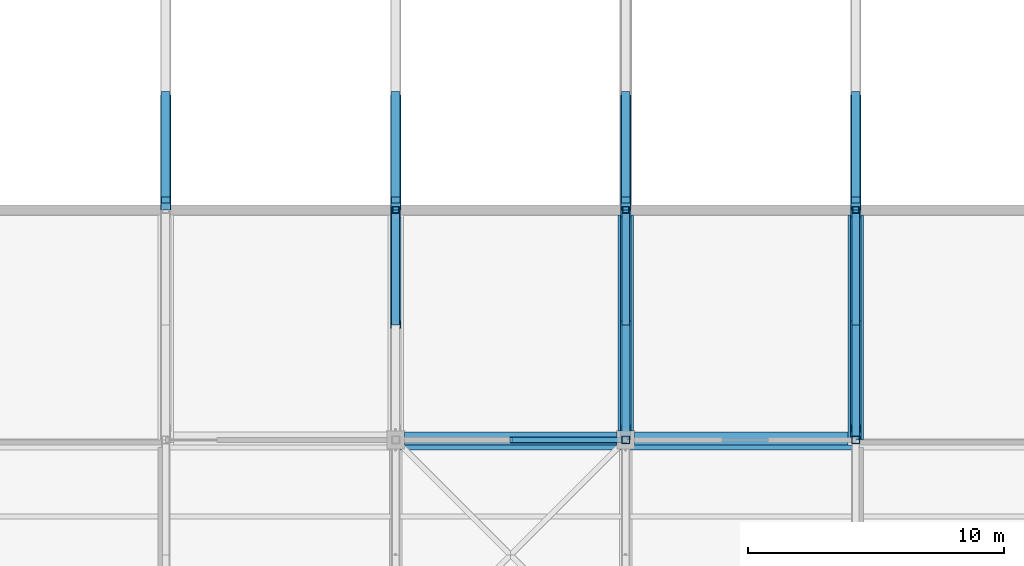
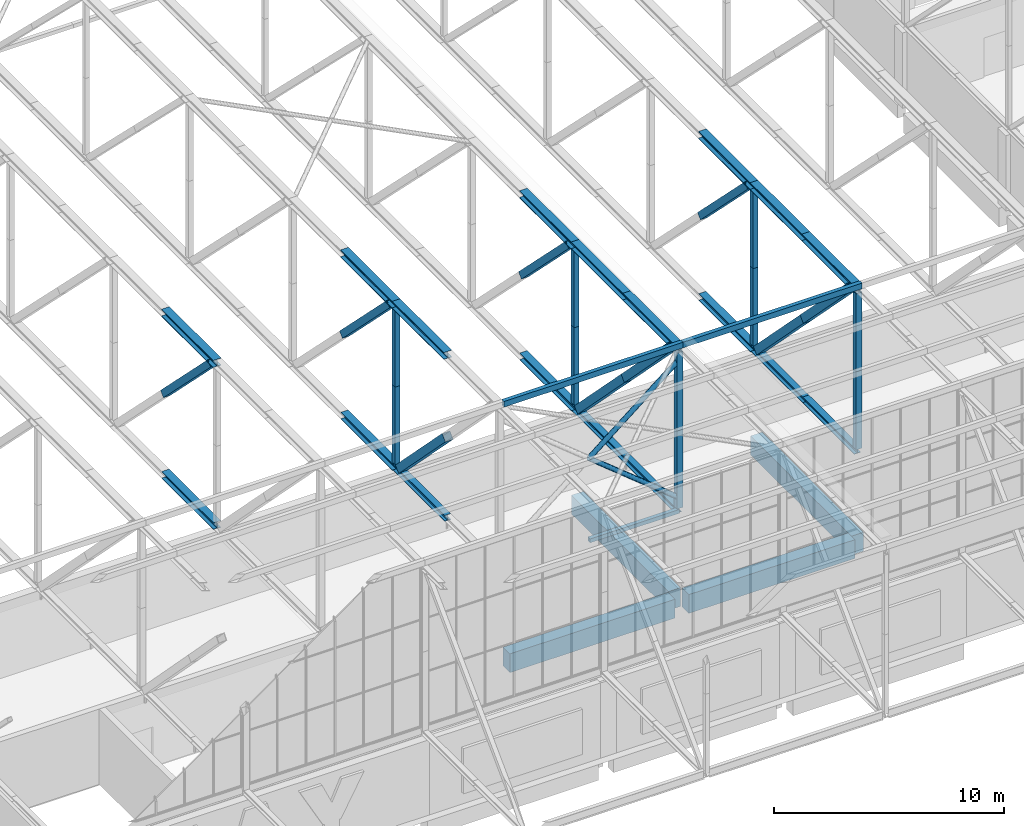
# One storey, part 36 of 646: 42 members, 4 beams.
"""IFC4 building model written with IfcOpenShell, lengths in metres."""

from ifc_helpers import new_model, si_unit, direction, frame, origin, origin_2d, place, context, subcontext, project, spatial, rectangle, hollow_rectangle, hollow_circle, i_section, extrude, material, material_profile, profile_set, type_object, element, save


model = new_model("IFC4")

# Units and contexts
model_context = context("Model", 3, precision=1e-05, world=origin(), true_north=direction((0.0, 1.0)))
body_context = subcontext(model_context, "Body", "Model", "MODEL_VIEW")
ifc_project = project(units=[si_unit("LENGTHUNIT", "METRE"), si_unit("AREAUNIT", "SQUARE_METRE"), si_unit("VOLUMEUNIT", "CUBIC_METRE"), si_unit("PLANEANGLEUNIT", "RADIAN"), si_unit("MASSUNIT", "GRAM", prefix="KILO")], contexts=[model_context])

# Site, building, storey
site_placement = place(None, origin())
site = spatial("IfcSite", under=ifc_project, at=site_placement, CompositionType="ELEMENT")
building_placement = place(site_placement, origin())
building = spatial("IfcBuilding", under=site, at=building_placement, Name="Silverbay Arena", CompositionType="ELEMENT")
storey_placement = place(building_placement, frame((0.0, 0.0, 33.5)))
storey = spatial("IfcBuildingStorey", under=building, at=storey_placement, Name="L05", CompositionType="ELEMENT", Elevation=33.5)

# Members
ifc_material_1 = material(Name="Steel S355", Category="steel")
ifc_material_profile_1 = material_profile(ifc_material_1, hollow_rectangle(XDim=0.199951171875, YDim=0.199951171875, WallThickness=0.008056640625, at=origin_2d()), Name="SHS 200x200x8")
ifc_profile_set_1 = profile_set([ifc_material_profile_1], Name="Steel S355")
member_type_1 = type_object("IfcMemberType", Name="Bracing strut SHS 200x200x8", PredefinedType="STRUT", material=ifc_profile_set_1)
member_1_placement = place(storey_placement, frame((130.5, 27.0, 4.13330078125), z_axis=(1.0, 0.0, 0.0), x_axis=(0.0, 1.0, 0.0)))
element("IfcMember", 1, at=member_1_placement, inside=storey, type_object=member_type_1, Name="ROOF BRACING strut 15-16 line 03b", PredefinedType="STRUT", context=body_context, shape_type="SweptSolid", body=[
    extrude(hollow_rectangle(XDim=0.199951171875, YDim=0.199951171875, WallThickness=0.008056640625, at=origin_2d()), origin(), (0.0, 0.0, 1.0), 4.5),
])
ifc_material_2 = material(Name="Steel S355", Category="steel")
ifc_material_profile_2 = material_profile(ifc_material_2, i_section(OverallWidth=0.311279296875, OverallDepth=0.3271484375, WebThickness=0.015869140625, FlangeThickness=0.02490234375, at=origin_2d()), Name="UC 305x305x158")
ifc_profile_set_2 = profile_set([ifc_material_profile_2], Name="Steel S355")
member_type_2 = type_object("IfcMemberType", Name="Main-span bottom chord UC 305x305x158", PredefinedType="CHORD", material=ifc_profile_set_2)
for number, where, z_axis, x_axis, name in (
    (2, (126.0, 31.5, 4.16357421875), (0.0, 1.0, 0.0), (-1.0, 0.0, 0.0), "ROOF TRUSS 15 bottom chord 03b"),
    (3, (135.0, 27.0, 4.16357421875), (0.0, 1.0, 0.0), (-1.0, 0.0, 0.0), "ROOF TRUSS 16 bottom chord 03a"),
    (4, (135.0, 31.5, 4.16357421875), (0.0, 1.0, 0.0), (-1.0, 0.0, 0.0), "ROOF TRUSS 16 bottom chord 03b"),
    (5, (144.0, 27.0, 4.16357421875), (0.0, 1.0, 0.0), (-1.0, 0.0, 0.0), "ROOF TRUSS 17 bottom chord 03a"),
    (6, (144.0, 31.5, 4.16357421875), (0.0, 1.0, 0.0), (-1.0, 0.0, 0.0), "ROOF TRUSS 17 bottom chord 03b"),
):
    element("IfcMember", number, at=place(storey_placement, frame(where, z_axis=z_axis, x_axis=x_axis)), inside=storey, type_object=member_type_2, Name=name, PredefinedType="CHORD", context=body_context, shape_type="SweptSolid", body=[
        extrude(i_section(OverallWidth=0.311279296875, OverallDepth=0.3271484375, WebThickness=0.015869140625, FlangeThickness=0.02490234375, at=origin_2d()), origin(), (0.0, 0.0, 1.0), 4.5),
    ])
ifc_material_3 = material(Name="Steel S355", Category="steel")
ifc_material_profile_3 = material_profile(ifc_material_3, i_section(OverallWidth=0.37255859375, OverallDepth=0.3681640625, WebThickness=0.014404296875, FlangeThickness=0.023681640625, at=origin_2d()), Name="UC 356x368x177")
ifc_profile_set_3 = profile_set([ifc_material_profile_3], Name="Steel S355")
member_type_3 = type_object("IfcMemberType", Name="Main-span bottom chord UC 356x368x177", PredefinedType="CHORD", material=ifc_profile_set_3)
for number, where, z_axis, x_axis, name in (
    (7, (117.0, 36.0, 4.18408203125), (0.0, 1.0, 0.0), (-1.0, 0.0, 0.0), "ROOF TRUSS 14 bottom chord 04a"),
    (8, (126.0, 36.0, 4.18408203125), (0.0, 1.0, 0.0), (-1.0, 0.0, 0.0), "ROOF TRUSS 15 bottom chord 04a"),
    (9, (135.0, 36.0, 4.18408203125), (0.0, 1.0, 0.0), (-1.0, 0.0, 0.0), "ROOF TRUSS 16 bottom chord 04a"),
    (10, (144.0, 36.0, 4.18408203125), (0.0, 1.0, 0.0), (-1.0, 0.0, 0.0), "ROOF TRUSS 17 bottom chord 04a"),
):
    element("IfcMember", number, at=place(storey_placement, frame(where, z_axis=z_axis, x_axis=x_axis)), inside=storey, type_object=member_type_3, Name=name, PredefinedType="CHORD", context=body_context, shape_type="SweptSolid", body=[
        extrude(i_section(OverallWidth=0.37255859375, OverallDepth=0.3681640625, WebThickness=0.014404296875, FlangeThickness=0.023681640625, at=origin_2d()), origin(), (0.0, 0.0, 1.0), 4.5),
    ])
ifc_material_4 = material(Name="Steel S355", Category="steel")
ifc_material_profile_4 = material_profile(ifc_material_4, i_section(OverallWidth=0.394775390625, OverallDepth=0.381103515625, WebThickness=0.018310546875, FlangeThickness=0.0302734375, at=origin_2d()), Name="UC 356x406x235")
ifc_profile_set_4 = profile_set([ifc_material_profile_4], Name="Steel S355")
member_type_4 = type_object("IfcMemberType", Name="Main-span top chord UC 356x406x235", PredefinedType="CHORD", material=ifc_profile_set_4)
for number, where, z_axis, x_axis, name in (
    (11, (126.0, 31.5, 12.8095703125), (0.0, 1.0, 0.0), (-1.0, 0.0, 0.0), "ROOF TRUSS 15 top chord 03b"),
    (12, (135.0, 27.0, 12.8095703125), (0.0, 1.0, 0.0), (-1.0, 0.0, 0.0), "ROOF TRUSS 16 top chord 03a"),
    (13, (135.0, 31.5, 12.8095703125), (0.0, 1.0, 0.0), (-1.0, 0.0, 0.0), "ROOF TRUSS 16 top chord 03b"),
    (14, (144.0, 27.0, 12.8095703125), (0.0, 1.0, 0.0), (-1.0, 0.0, 0.0), "ROOF TRUSS 17 top chord 03a"),
    (15, (144.0, 31.5, 12.8095703125), (0.0, 1.0, 0.0), (-1.0, 0.0, 0.0), "ROOF TRUSS 17 top chord 03b"),
):
    element("IfcMember", number, at=place(storey_placement, frame(where, z_axis=z_axis, x_axis=x_axis)), inside=storey, type_object=member_type_4, Name=name, PredefinedType="CHORD", context=body_context, shape_type="SweptSolid", body=[
        extrude(i_section(OverallWidth=0.394775390625, OverallDepth=0.381103515625, WebThickness=0.018310546875, FlangeThickness=0.0302734375, at=origin_2d()), origin(), (0.0, 0.0, 1.0), 4.5),
    ])
ifc_material_5 = material(Name="Steel S355", Category="steel")
ifc_material_profile_5 = material_profile(ifc_material_5, i_section(OverallWidth=0.39892578125, OverallDepth=0.3935546875, WebThickness=0.022705078125, FlangeThickness=0.03662109375, at=origin_2d()), Name="UC 356x406x287")
ifc_profile_set_5 = profile_set([ifc_material_profile_5], Name="Steel S355")
member_type_5 = type_object("IfcMemberType", Name="Main-span top chord UC 356x406x287", PredefinedType="CHORD", material=ifc_profile_set_5)
for number, where, z_axis, x_axis, name in (
    (16, (117.0, 36.0, 12.80322265625), (0.0, 1.0, 0.0), (-1.0, 0.0, 0.0), "ROOF TRUSS 14 top chord 04a"),
    (17, (126.0, 36.0, 12.80322265625), (0.0, 1.0, 0.0), (-1.0, 0.0, 0.0), "ROOF TRUSS 15 top chord 04a"),
    (18, (135.0, 36.0, 12.80322265625), (0.0, 1.0, 0.0), (-1.0, 0.0, 0.0), "ROOF TRUSS 16 top chord 04a"),
    (19, (144.0, 36.0, 12.80322265625), (0.0, 1.0, 0.0), (-1.0, 0.0, 0.0), "ROOF TRUSS 17 top chord 04a"),
):
    element("IfcMember", number, at=place(storey_placement, frame(where, z_axis=z_axis, x_axis=x_axis)), inside=storey, type_object=member_type_5, Name=name, PredefinedType="CHORD", context=body_context, shape_type="SweptSolid", body=[
        extrude(i_section(OverallWidth=0.39892578125, OverallDepth=0.3935546875, WebThickness=0.022705078125, FlangeThickness=0.03662109375, at=origin_2d()), origin(), (0.0, 0.0, 1.0), 4.5),
    ])
ifc_material_6 = material(Name="Steel S355", Category="steel")
ifc_material_profile_6 = material_profile(ifc_material_6, hollow_rectangle(XDim=0.35009765625, YDim=0.35009765625, WallThickness=0.01416015625, at=origin_2d()), Name="SHS 350x350x14.2")
ifc_profile_set_6 = profile_set([ifc_material_profile_6], Name="Steel S355")
member_type_6 = type_object("IfcMemberType", Name="Main-span truss diagonal SHS 350x350x14.2", PredefinedType="BRACE", material=ifc_profile_set_6)
for number, where, z_axis, x_axis, name in (
    (20, (117.0, 36.38916015625, 12.6064453125), (0.0, 0.706393232016, -0.707819611033), (-1.0, 0.0, 0.0), "ROOF TRUSS 14 diagonal 04a"),
    (21, (126.0, 36.38916015625, 12.6064453125), (0.0, 0.706393232016, -0.707819611033), (-1.0, 0.0, 0.0), "ROOF TRUSS 15 diagonal 04a"),
    (22, (135.0, 36.38916015625, 12.6064453125), (0.0, 0.706393232016, -0.707819611033), (-1.0, 0.0, 0.0), "ROOF TRUSS 16 diagonal 04a"),
    (23, (144.0, 36.38916015625, 12.6064453125), (0.0, 0.706393232016, -0.707819611033), (-1.0, 0.0, 0.0), "ROOF TRUSS 17 diagonal 04a"),
):
    element("IfcMember", number, at=place(storey_placement, frame(where, z_axis=z_axis, x_axis=x_axis)), inside=storey, type_object=member_type_6, Name=name, PredefinedType="BRACE", context=body_context, shape_type="SweptSolid", body=[
        extrude(hollow_rectangle(XDim=0.35009765625, YDim=0.35009765625, WallThickness=0.01416015625, at=origin_2d()), origin(), (0.0, 0.0, 1.0), 5.819580078125),
    ])
ifc_material_7 = material(Name="Steel S355", Category="steel")
ifc_material_profile_7 = material_profile(ifc_material_7, hollow_rectangle(XDim=0.39990234375, YDim=0.39990234375, WallThickness=0.01416015625, at=origin_2d()), Name="SHS 400x400x14.2")
ifc_profile_set_7 = profile_set([ifc_material_profile_7], Name="Steel S355")
member_type_7 = type_object("IfcMemberType", Name="Main-span truss diagonal SHS 400x400x14.2", PredefinedType="BRACE", material=ifc_profile_set_7)
member_2_placement = place(storey_placement, frame((126.0, 31.510009765625, 8.47314453125), z_axis=(0.0, 0.700092430298, -0.714052231311), x_axis=(-1.0, 0.0, 0.0)))
element("IfcMember", 24, at=member_2_placement, inside=storey, type_object=member_type_7, Name="ROOF TRUSS 15 diagonal 03b", PredefinedType="BRACE", context=body_context, shape_type="SweptSolid", body=[
    extrude(hollow_rectangle(XDim=0.39990234375, YDim=0.39990234375, WallThickness=0.01416015625, at=origin_2d()), origin(), (0.0, 0.0, 1.0), 5.806396484375),
])
member_3_placement = place(storey_placement, frame((135.0, 27.445068359375, 12.618896484375), z_axis=(0.0, 0.700113450325, -0.71403162162), x_axis=(-1.0, 0.0, 0.0)))
element("IfcMember", 25, at=member_3_placement, inside=storey, type_object=member_type_7, Name="ROOF TRUSS 16 diagonal 03a", PredefinedType="BRACE", context=body_context, shape_type="SweptSolid", body=[
    extrude(hollow_rectangle(XDim=0.39990234375, YDim=0.39990234375, WallThickness=0.01416015625, at=origin_2d()), origin(), (0.0, 0.0, 1.0), 5.80615234375),
])
member_4_placement = place(storey_placement, frame((135.0, 31.510009765625, 8.47314453125), z_axis=(0.0, 0.700092430298, -0.714052231311), x_axis=(-1.0, 0.0, 0.0)))
element("IfcMember", 26, at=member_4_placement, inside=storey, type_object=member_type_7, Name="ROOF TRUSS 16 diagonal 03b", PredefinedType="BRACE", context=body_context, shape_type="SweptSolid", body=[
    extrude(hollow_rectangle(XDim=0.39990234375, YDim=0.39990234375, WallThickness=0.01416015625, at=origin_2d()), origin(), (0.0, 0.0, 1.0), 5.806396484375),
])
member_5_placement = place(storey_placement, frame((144.0, 27.445068359375, 12.618896484375), z_axis=(0.0, 0.700113450325, -0.71403162162), x_axis=(-1.0, 0.0, 0.0)))
element("IfcMember", 27, at=member_5_placement, inside=storey, type_object=member_type_7, Name="ROOF TRUSS 17 diagonal 03a", PredefinedType="BRACE", context=body_context, shape_type="SweptSolid", body=[
    extrude(hollow_rectangle(XDim=0.39990234375, YDim=0.39990234375, WallThickness=0.01416015625, at=origin_2d()), origin(), (0.0, 0.0, 1.0), 5.80615234375),
])
member_6_placement = place(storey_placement, frame((144.0, 31.510009765625, 8.47314453125), z_axis=(0.0, 0.700092430298, -0.714052231311), x_axis=(-1.0, 0.0, 0.0)))
element("IfcMember", 28, at=member_6_placement, inside=storey, type_object=member_type_7, Name="ROOF TRUSS 17 diagonal 03b", PredefinedType="BRACE", context=body_context, shape_type="SweptSolid", body=[
    extrude(hollow_rectangle(XDim=0.39990234375, YDim=0.39990234375, WallThickness=0.01416015625, at=origin_2d()), origin(), (0.0, 0.0, 1.0), 5.806396484375),
])
ifc_material_8 = material(Name="Steel S355", Category="steel")
ifc_material_profile_8 = material_profile(ifc_material_8, hollow_rectangle(XDim=0.260009765625, YDim=0.260009765625, WallThickness=0.012451171875, at=origin_2d()), Name="SHS 260x260x12.5")
ifc_profile_set_8 = profile_set([ifc_material_profile_8], Name="Steel S355")
member_type_8 = type_object("IfcMemberType", Name="Main-span truss vertical SHS 260x260x12.5", PredefinedType="STRUT", material=ifc_profile_set_8)
for number, where, z_axis, x_axis, name in (
    (29, (126.0, 36.0, 4.3681640625), (0.0, 0.0, 1.0), (1.0, 0.0, 0.0), "ROOF TRUSS 15 vertical 04a"),
    (30, (126.0, 36.0, 8.4873046875), (0.0, 0.0, 1.0), (1.0, 0.0, 0.0), "ROOF TRUSS 15 vertical 04b"),
    (31, (135.0, 36.0, 4.3681640625), (0.0, 0.0, 1.0), (1.0, 0.0, 0.0), "ROOF TRUSS 16 vertical 04a"),
    (32, (135.0, 36.0, 8.4873046875), (0.0, 0.0, 1.0), (1.0, 0.0, 0.0), "ROOF TRUSS 16 vertical 04b"),
    (33, (144.0, 36.0, 4.3681640625), (0.0, 0.0, 1.0), (1.0, 0.0, 0.0), "ROOF TRUSS 17 vertical 04a"),
    (34, (144.0, 36.0, 8.4873046875), (0.0, 0.0, 1.0), (1.0, 0.0, 0.0), "ROOF TRUSS 17 vertical 04b"),
):
    element("IfcMember", number, at=place(storey_placement, frame(where, z_axis=z_axis, x_axis=x_axis)), inside=storey, type_object=member_type_8, Name=name, PredefinedType="STRUT", context=body_context, shape_type="SweptSolid", body=[
        extrude(hollow_rectangle(XDim=0.260009765625, YDim=0.260009765625, WallThickness=0.012451171875, at=origin_2d()), origin(), (0.0, 0.0, 1.0), 4.119140625),
    ])
ifc_material_9 = material(Name="Steel S355", Category="steel")
ifc_material_profile_9 = material_profile(ifc_material_9, hollow_rectangle(XDim=0.300048828125, YDim=0.300048828125, WallThickness=0.012451171875, at=origin_2d()), Name="SHS 300x300x12.5")
ifc_profile_set_9 = profile_set([ifc_material_profile_9], Name="Steel S355")
member_type_9 = type_object("IfcMemberType", Name="Main-span truss vertical SHS 300x300x12.5", PredefinedType="STRUT", material=ifc_profile_set_9)
member_7_placement = place(storey_placement, frame((135.0, 27.0, 4.3271484375), z_axis=(0.0, 0.0, 1.0), x_axis=(1.0, 0.0, 0.0)))
element("IfcMember", 35, at=member_7_placement, inside=storey, type_object=member_type_9, Name="ROOF TRUSS 16 vertical 03a", PredefinedType="STRUT", context=body_context, shape_type="SweptSolid", body=[
    extrude(hollow_rectangle(XDim=0.300048828125, YDim=0.300048828125, WallThickness=0.012451171875, at=origin_2d()), origin(), (0.0, 0.0, 1.0), 4.14599609375),
])
member_8_placement = place(storey_placement, frame((135.0, 27.0, 8.47314453125), z_axis=(0.0, 0.0, 1.0), x_axis=(1.0, 0.0, 0.0)))
element("IfcMember", 36, at=member_8_placement, inside=storey, type_object=member_type_9, Name="ROOF TRUSS 16 vertical 03b", PredefinedType="STRUT", context=body_context, shape_type="SweptSolid", body=[
    extrude(hollow_rectangle(XDim=0.300048828125, YDim=0.300048828125, WallThickness=0.012451171875, at=origin_2d()), origin(), (0.0, 0.0, 1.0), 4.145751953125),
])
member_9_placement = place(storey_placement, frame((144.0, 27.0, 4.3271484375), z_axis=(0.0, 0.0, 1.0), x_axis=(1.0, 0.0, 0.0)))
element("IfcMember", 37, at=member_9_placement, inside=storey, type_object=member_type_9, Name="ROOF TRUSS 17 vertical 03a", PredefinedType="STRUT", context=body_context, shape_type="SweptSolid", body=[
    extrude(hollow_rectangle(XDim=0.300048828125, YDim=0.300048828125, WallThickness=0.012451171875, at=origin_2d()), origin(), (0.0, 0.0, 1.0), 4.14599609375),
])
member_10_placement = place(storey_placement, frame((144.0, 27.0, 8.47314453125), z_axis=(0.0, 0.0, 1.0), x_axis=(1.0, 0.0, 0.0)))
element("IfcMember", 38, at=member_10_placement, inside=storey, type_object=member_type_9, Name="ROOF TRUSS 17 vertical 03b", PredefinedType="STRUT", context=body_context, shape_type="SweptSolid", body=[
    extrude(hollow_rectangle(XDim=0.300048828125, YDim=0.300048828125, WallThickness=0.012451171875, at=origin_2d()), origin(), (0.0, 0.0, 1.0), 4.145751953125),
])
ifc_material_10 = material(Name="Steel S355", Category="steel")
ifc_material_profile_10 = material_profile(ifc_material_10, hollow_rectangle(XDim=0.199951171875, YDim=0.300048828125, WallThickness=0.00634765625, at=origin_2d()), Name="RHS 300x200x6.3")
ifc_profile_set_10 = profile_set([ifc_material_profile_10], Name="Steel S355")
member_type_10 = type_object("IfcMemberType", Name="Purlin RHS 300x200x6.3", PredefinedType="PURLIN", material=ifc_profile_set_10)
for number, where, z_axis, x_axis, name in (
    (39, (126.0, 26.699951171875, 13.14990234375), (1.0, 0.0, 0.0), (0.0, 1.0, 0.0), "ROOF PURLIN crown rim south 15-16"),
    (40, (135.0, 26.699951171875, 13.14990234375), (1.0, 0.0, 0.0), (0.0, 1.0, 0.0), "ROOF PURLIN crown rim south 16-17"),
):
    element("IfcMember", number, at=place(storey_placement, frame(where, z_axis=z_axis, x_axis=x_axis)), inside=storey, type_object=member_type_10, Name=name, PredefinedType="PURLIN", context=body_context, shape_type="SweptSolid", body=[
        extrude(hollow_rectangle(XDim=0.199951171875, YDim=0.300048828125, WallThickness=0.00634765625, at=origin_2d()), origin(), (0.0, 0.0, 1.0), 9.0),
    ])

# Beams
ifc_material_11 = material(Name="Concrete Grade C45", Category="concrete")
ifc_material_profile_11 = material_profile(ifc_material_11, rectangle(XDim=0.60009765625, YDim=1.0, at=origin_2d()), Name="RC 600x1000")
ifc_profile_set_11 = profile_set([ifc_material_profile_11], Name="Concrete Grade C45")
beam_type = type_object("IfcBeamType", Name="RC beam 600x1000", PredefinedType="BEAM", material=ifc_profile_set_11)
beam_1_placement = place(storey_placement, frame((126.35009765625, 27.0, -0.800048828125), z_axis=(1.0, 0.0, 0.0), x_axis=(0.0, 1.0, 0.0)))
element("IfcBeam", 41, at=beam_1_placement, inside=storey, type_object=beam_type, Name="Floor beam L05 008", PredefinedType="BEAM", context=body_context, shape_type="SweptSolid", body=[
    extrude(rectangle(XDim=0.60009765625, YDim=1.0, at=origin_2d()), origin(), (0.0, 0.0, 1.0), 8.2998046875),
])
beam_2_placement = place(storey_placement, frame((135.35009765625, 27.0, -0.800048828125), z_axis=(1.0, 0.0, 0.0), x_axis=(0.0, 1.0, 0.0)))
element("IfcBeam", 42, at=beam_2_placement, inside=storey, type_object=beam_type, Name="Floor beam L05 009", PredefinedType="BEAM", context=body_context, shape_type="SweptSolid", body=[
    extrude(rectangle(XDim=0.60009765625, YDim=1.0, at=origin_2d()), origin(), (0.0, 0.0, 1.0), 8.349853515625),
])
beam_3_placement = place(storey_placement, frame((135.0, 27.35009765625, -0.800048828125), z_axis=(0.0, 1.0, 0.0), x_axis=(-1.0, 0.0, 0.0)))
element("IfcBeam", 43, at=beam_3_placement, inside=storey, type_object=beam_type, Name="Floor beam L05 114", PredefinedType="BEAM", context=body_context, shape_type="SweptSolid", body=[
    extrude(rectangle(XDim=0.60009765625, YDim=1.0, at=origin_2d()), origin(), (0.0, 0.0, 1.0), 8.449951171875),
])
beam_4_placement = place(storey_placement, frame((144.0, 27.0, -0.800048828125), z_axis=(0.0, 1.0, 0.0), x_axis=(-1.0, 0.0, 0.0)))
element("IfcBeam", 44, at=beam_4_placement, inside=storey, type_object=beam_type, Name="Floor beam L05 117", PredefinedType="BEAM", context=body_context, shape_type="SweptSolid", body=[
    extrude(rectangle(XDim=0.60009765625, YDim=1.0, at=origin_2d()), origin(), (0.0, 0.0, 1.0), 8.800048828125),
])

# Members
ifc_material_12 = material(Name="Steel S355", Category="steel")
ifc_material_profile_12 = material_profile(ifc_material_12, hollow_circle(Radius=0.122314453125, WallThickness=0.00634765625, at=origin_2d()), Name="CHS 244.5x6.3")
ifc_profile_set_12 = profile_set([ifc_material_profile_12], Name="Steel S355")
member_type_11 = type_object("IfcMemberType", Name="Vertical bracing CHS 244.5x6.3", PredefinedType="BRACE", material=ifc_profile_set_12)
member_11_placement = place(storey_placement, frame((130.5, 27.0, 8.47314453125), z_axis=(0.777000370985, 0.0, 0.629500137799), x_axis=(0.0, 1.0, 0.0)))
element("IfcMember", 45, at=member_11_placement, inside=storey, type_object=member_type_11, Name="ROOF BRACING vertical 15-16 line 03 Ab", PredefinedType="BRACE", context=body_context, shape_type="SweptSolid", body=[
    extrude(hollow_circle(Radius=0.122314453125, WallThickness=0.00634765625, at=origin_2d()), origin(), (0.0, 0.0, 1.0), 5.79150390625),
])
member_12_placement = place(storey_placement, frame((130.5, 27.0, 8.47314453125), z_axis=(0.7769797522, 0.0, -0.629525586987), x_axis=(0.0, 1.0, 0.0)))
element("IfcMember", 46, at=member_12_placement, inside=storey, type_object=member_type_11, Name="ROOF BRACING vertical 15-16 line 03 Bb", PredefinedType="BRACE", context=body_context, shape_type="SweptSolid", body=[
    extrude(hollow_circle(Radius=0.122314453125, WallThickness=0.00634765625, at=origin_2d()), origin(), (0.0, 0.0, 1.0), 5.791748046875),
])

save(model, "model.ifc")
